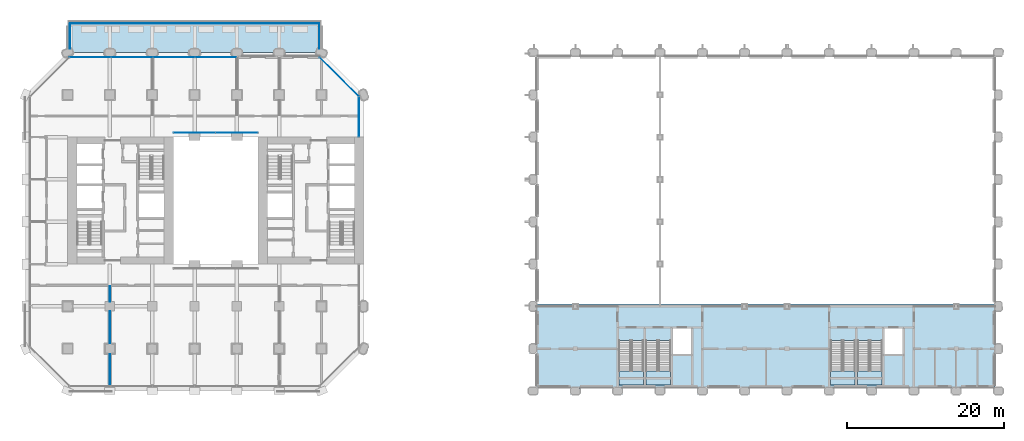
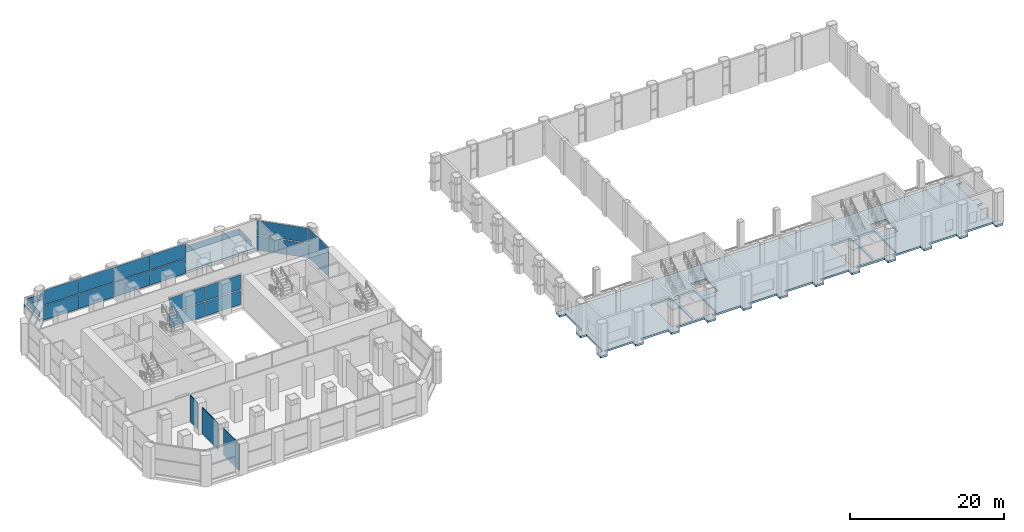
# One storey, part 11 of 27: 19 plates, 6 slabs, 3 walls, 8 elements without a shape of their own.
"""IFC4 building model written with IfcOpenShell, lengths in metres."""

from ifc_helpers import new_model, si_unit, direction, frame, frame_2d, origin, origin_2d, place, context, subcontext, project, spatial, polyline, rectangle, outline, extrude, material, layer, layer_set, type_object, element, aggregate, save


model = new_model("IFC4")

# Units and contexts
model_context = context("Model", 3, precision=1e-05, world=origin(), true_north=direction((0.0, 1.0)))
body_context = subcontext(model_context, "Body", "Model", "MODEL_VIEW")
ifc_project = project(units=[si_unit("LENGTHUNIT", "METRE"), si_unit("AREAUNIT", "SQUARE_METRE"), si_unit("VOLUMEUNIT", "CUBIC_METRE"), si_unit("PLANEANGLEUNIT", "RADIAN"), si_unit("MASSUNIT", "GRAM", prefix="KILO")], contexts=[model_context])

# Site, building, storey
site_placement = place(None, origin())
site = spatial("IfcSite", under=ifc_project, at=site_placement, CompositionType="ELEMENT")
building_placement = place(site_placement, origin())
building = spatial("IfcBuilding", under=site, at=building_placement, Name="Tabaq Tower and Sports Hall", CompositionType="ELEMENT")
storey_placement = place(building_placement, frame((0.0, 0.0, 14.39990234375)))
storey = spatial("IfcBuildingStorey", under=building, at=storey_placement, Name="L02", CompositionType="ELEMENT", Elevation=14.39990234375)

# Curtain wall, plates
ifc_material_1 = material(Name="Aluminium alloy 6063-T6 framed glazing", Category="aluminium")
curtain_wall_type_1 = type_object("IfcCurtainWallType", Name="CW1 curtain wall", PredefinedType="USERDEFINED", material=ifc_material_1)
curtain_wall_1_placement = place(storey_placement, origin())
curtain_wall_1 = element("IfcCurtainWall", 1, at=curtain_wall_1_placement, inside=storey, type_object=curtain_wall_type_1, Name="Atrium glazing L02 N", ObjectType="ATRIUM ENCLOSURE", PredefinedType="USERDEFINED")
ifc_material_2 = material(Name="Clear low-emissivity glass 28 mm", Category="glass")
ifc_layer_1 = layer(ifc_material_2, 0.028076171875)
ifc_layer_set_1 = layer_set([ifc_layer_1], Name="CW1 glass panel 28")
plate_type_1 = type_object("IfcPlateType", Name="CW1 glass panel 28", PredefinedType="CURTAIN_PANEL", material=ifc_layer_set_1)
plate_1_placement = place(storey_placement, frame((21.614990234375, 32.949951171875, 0.14013671875), z_axis=(0.0, 0.0, 1.0), x_axis=(1.0, 0.0, 0.0)))
plate_1 = element("IfcPlate", 2, at=plate_1_placement, type_object=plate_type_1, Name="CW1 panel 1.1", PredefinedType="CURTAIN_PANEL", context=body_context, shape_type="SweptSolid", body=[
    extrude(rectangle(XDim=5.31005859375, YDim=0.028076171875, at=origin_2d()), origin(), (0.0, 0.0, 1.0), 2.2900390625),
])
plate_2_placement = place(storey_placement, frame((21.614990234375, 32.949951171875, 2.570068359375), z_axis=(0.0, 0.0, 1.0), x_axis=(1.0, 0.0, 0.0)))
plate_2 = element("IfcPlate", 3, at=plate_2_placement, type_object=plate_type_1, Name="CW1 panel 1.2", PredefinedType="CURTAIN_PANEL", context=body_context, shape_type="SweptSolid", body=[
    extrude(rectangle(XDim=5.31005859375, YDim=0.028076171875, at=origin_2d()), origin(), (0.0, 0.0, 1.0), 2.2900390625),
])
plate_3_placement = place(storey_placement, frame((26.985107421875, 32.949951171875, 0.14013671875), z_axis=(0.0, 0.0, 1.0), x_axis=(1.0, 0.0, 0.0)))
plate_3 = element("IfcPlate", 4, at=plate_3_placement, type_object=plate_type_1, Name="CW1 panel 2.1", PredefinedType="CURTAIN_PANEL", context=body_context, shape_type="SweptSolid", body=[
    extrude(rectangle(XDim=5.31005859375, YDim=0.028076171875, at=origin_2d()), origin(), (0.0, 0.0, 1.0), 2.2900390625),
])
plate_4_placement = place(storey_placement, frame((26.985107421875, 32.949951171875, 2.570068359375), z_axis=(0.0, 0.0, 1.0), x_axis=(1.0, 0.0, 0.0)))
plate_4 = element("IfcPlate", 5, at=plate_4_placement, type_object=plate_type_1, Name="CW1 panel 2.2", PredefinedType="CURTAIN_PANEL", context=body_context, shape_type="SweptSolid", body=[
    extrude(rectangle(XDim=5.31005859375, YDim=0.028076171875, at=origin_2d()), origin(), (0.0, 0.0, 1.0), 2.2900390625),
])
aggregate(curtain_wall_1, [plate_1, plate_2, plate_3, plate_4])

ifc_material_3 = material(Name="Aluminium alloy 6063-T6 framed glazing", Category="aluminium")
curtain_wall_type_2 = type_object("IfcCurtainWallType", Name="CW7 curtain wall", PredefinedType="USERDEFINED", material=ifc_material_3)
curtain_wall_2_placement = place(storey_placement, origin())
curtain_wall_2 = element("IfcCurtainWall", 6, at=curtain_wall_2_placement, inside=storey, type_object=curtain_wall_type_2, Name="Podium Wall L02 E", ObjectType="PODIUM WALL", PredefinedType="USERDEFINED")
ifc_material_4 = material(Name="Clear low-emissivity glass 28 mm", Category="glass")
ifc_layer_2 = layer(ifc_material_4, 0.030029296875)
ifc_layer_set_2 = layer_set([ifc_layer_2], Name="CW7 glass panel 30")
plate_type_2 = type_object("IfcPlateType", Name="CW7 glass panel 30", PredefinedType="CURTAIN_PANEL", material=ifc_layer_set_2)
plate_5_placement = place(storey_placement, frame((42.60009765625, 35.0068359375, 0.14013671875), z_axis=(0.0, 0.0, 1.0), x_axis=(0.0, 1.0, 0.0)))
plate_5 = element("IfcPlate", 7, at=plate_5_placement, type_object=plate_type_2, Name="CW7 panel 1.1", PredefinedType="CURTAIN_PANEL", context=body_context, shape_type="SweptSolid", body=[
    extrude(rectangle(XDim=5.08349609375, YDim=0.030029296875, at=origin_2d()), origin(), (0.0, 0.0, 1.0), 2.2900390625),
])
plate_6_placement = place(storey_placement, frame((42.60009765625, 35.0068359375, 2.570068359375), z_axis=(0.0, 0.0, 1.0), x_axis=(0.0, 1.0, 0.0)))
plate_6 = element("IfcPlate", 8, at=plate_6_placement, type_object=plate_type_2, Name="CW7 panel 1.2", PredefinedType="CURTAIN_PANEL", context=body_context, shape_type="SweptSolid", body=[
    extrude(rectangle(XDim=5.08349609375, YDim=0.030029296875, at=origin_2d()), origin(), (0.0, 0.0, 1.0), 2.2900390625),
])
aggregate(curtain_wall_2, [plate_5, plate_6])

curtain_wall_3_placement = place(storey_placement, origin())
curtain_wall_3 = element("IfcCurtainWall", 9, at=curtain_wall_3_placement, inside=storey, type_object=curtain_wall_type_2, Name="Podium Wall L02 NE", ObjectType="PODIUM WALL", PredefinedType="USERDEFINED")
plate_7_placement = place(storey_placement, frame((40.07568359375, 40.07568359375, 0.14013671875), z_axis=(0.0, 0.0, 1.0), x_axis=(-0.707106781187, 0.707106781187, 0.0)))
plate_7 = element("IfcPlate", 10, at=plate_7_placement, type_object=plate_type_2, Name="CW7 panel 1.1", PredefinedType="CURTAIN_PANEL", context=body_context, shape_type="SweptSolid", body=[
    extrude(rectangle(XDim=7.009765625, YDim=0.030029296875, at=origin_2d()), origin(), (0.0, 0.0, 1.0), 2.2900390625),
])
plate_8_placement = place(storey_placement, frame((40.07568359375, 40.07568359375, 2.570068359375), z_axis=(0.0, 0.0, 1.0), x_axis=(-0.707106781187, 0.707106781187, 0.0)))
plate_8 = element("IfcPlate", 11, at=plate_8_placement, type_object=plate_type_2, Name="CW7 panel 1.2", PredefinedType="CURTAIN_PANEL", context=body_context, shape_type="SweptSolid", body=[
    extrude(rectangle(XDim=7.009765625, YDim=0.030029296875, at=origin_2d()), origin(), (0.0, 0.0, 1.0), 2.2900390625),
])
aggregate(curtain_wall_3, [plate_7, plate_8])

curtain_wall_4_placement = place(storey_placement, origin())
curtain_wall_4 = element("IfcCurtainWall", 12, at=curtain_wall_4_placement, inside=storey, type_object=curtain_wall_type_2, Name="Podium Wall L02 N", ObjectType="PODIUM WALL", PredefinedType="USERDEFINED")
plate_9_placement = place(storey_placement, frame((24.30712890625, 42.60009765625, 0.14013671875), z_axis=(0.0, 0.0, 1.0), x_axis=(-1.0, 0.0, 0.0)))
plate_9 = element("IfcPlate", 13, at=plate_9_placement, type_object=plate_type_2, Name="CW7 panel 1.1", PredefinedType="CURTAIN_PANEL", context=body_context, shape_type="SweptSolid", body=[
    extrude(rectangle(XDim=5.255859375, YDim=0.030029296875, at=origin_2d()), origin(), (0.0, 0.0, 1.0), 2.2900390625),
])
plate_10_placement = place(storey_placement, frame((24.30712890625, 42.60009765625, 2.570068359375), z_axis=(0.0, 0.0, 1.0), x_axis=(-1.0, 0.0, 0.0)))
plate_10 = element("IfcPlate", 14, at=plate_10_placement, type_object=plate_type_2, Name="CW7 panel 1.2", PredefinedType="CURTAIN_PANEL", context=body_context, shape_type="SweptSolid", body=[
    extrude(rectangle(XDim=5.255859375, YDim=0.030029296875, at=origin_2d()), origin(), (0.0, 0.0, 1.0), 2.2900390625),
])
plate_11_placement = place(storey_placement, frame((18.969970703125, 42.60009765625, 0.14013671875), z_axis=(0.0, 0.0, 1.0), x_axis=(-1.0, 0.0, 0.0)))
plate_11 = element("IfcPlate", 15, at=plate_11_placement, type_object=plate_type_2, Name="CW7 panel 2.1", PredefinedType="CURTAIN_PANEL", context=body_context, shape_type="SweptSolid", body=[
    extrude(rectangle(XDim=5.288330078125, YDim=0.030029296875, at=origin_2d()), origin(), (0.0, 0.0, 1.0), 2.2900390625),
])
plate_12_placement = place(storey_placement, frame((18.969970703125, 42.60009765625, 2.570068359375), z_axis=(0.0, 0.0, 1.0), x_axis=(-1.0, 0.0, 0.0)))
plate_12 = element("IfcPlate", 16, at=plate_12_placement, type_object=plate_type_2, Name="CW7 panel 2.2", PredefinedType="CURTAIN_PANEL", context=body_context, shape_type="SweptSolid", body=[
    extrude(rectangle(XDim=5.288330078125, YDim=0.030029296875, at=origin_2d()), origin(), (0.0, 0.0, 1.0), 2.2900390625),
])
plate_13_placement = place(storey_placement, frame((13.616455078125, 42.60009765625, 0.14013671875), z_axis=(0.0, 0.0, 1.0), x_axis=(-1.0, 0.0, 0.0)))
plate_13 = element("IfcPlate", 17, at=plate_13_placement, type_object=plate_type_2, Name="CW7 panel 3.1", PredefinedType="CURTAIN_PANEL", context=body_context, shape_type="SweptSolid", body=[
    extrude(rectangle(XDim=5.288330078125, YDim=0.030029296875, at=origin_2d()), origin(), (0.0, 0.0, 1.0), 2.2900390625),
])
plate_14_placement = place(storey_placement, frame((13.616455078125, 42.60009765625, 2.570068359375), z_axis=(0.0, 0.0, 1.0), x_axis=(-1.0, 0.0, 0.0)))
plate_14 = element("IfcPlate", 18, at=plate_14_placement, type_object=plate_type_2, Name="CW7 panel 3.2", PredefinedType="CURTAIN_PANEL", context=body_context, shape_type="SweptSolid", body=[
    extrude(rectangle(XDim=5.288330078125, YDim=0.030029296875, at=origin_2d()), origin(), (0.0, 0.0, 1.0), 2.2900390625),
])
plate_15_placement = place(storey_placement, frame((8.279296875, 42.60009765625, 0.14013671875), z_axis=(0.0, 0.0, 1.0), x_axis=(-1.0, 0.0, 0.0)))
plate_15 = element("IfcPlate", 19, at=plate_15_placement, type_object=plate_type_2, Name="CW7 panel 4.1", PredefinedType="CURTAIN_PANEL", context=body_context, shape_type="SweptSolid", body=[
    extrude(rectangle(XDim=5.255859375, YDim=0.030029296875, at=origin_2d()), origin(), (0.0, 0.0, 1.0), 2.2900390625),
])
plate_16_placement = place(storey_placement, frame((8.279296875, 42.60009765625, 2.570068359375), z_axis=(0.0, 0.0, 1.0), x_axis=(-1.0, 0.0, 0.0)))
plate_16 = element("IfcPlate", 20, at=plate_16_placement, type_object=plate_type_2, Name="CW7 panel 4.2", PredefinedType="CURTAIN_PANEL", context=body_context, shape_type="SweptSolid", body=[
    extrude(rectangle(XDim=5.255859375, YDim=0.030029296875, at=origin_2d()), origin(), (0.0, 0.0, 1.0), 2.2900390625),
])
aggregate(curtain_wall_4, [plate_9, plate_10, plate_11, plate_12, plate_13, plate_14, plate_15, plate_16])

# Slabs
ifc_material_5 = material(Name="Concrete C40/50", Category="concrete")
ifc_layer_3 = layer(ifc_material_5, 0.39990234375)
ifc_layer_set_3 = layer_set([ifc_layer_3], Name="Concrete C40/50 PT tray slab")
slab_type_1 = type_object("IfcSlabType", Name="Concrete C40/50 PT tray slab", PredefinedType="FLOOR", material=ifc_layer_set_3)
slab_1_placement = place(storey_placement, frame((0.0, 0.0, -0.39990234375)))
element("IfcSlab", 21, at=slab_1_placement, inside=storey, type_object=slab_type_1, Name="Tray slab L02", PredefinedType="FLOOR", context=body_context, shape_type="SweptSolid", body=[
    extrude(outline(polyline([(37.800048828125, 43.199951171875), (5.39990234375, 43.199951171875), (5.39990234375, 47.199951171875), (37.800048828125, 47.199951171875), (37.800048828125, 43.199951171875)])), origin(), (0.0, 0.0, 1.0), 0.39990234375),
])
ifc_material_6 = material(Name="Concrete C40/50", Category="concrete")
ifc_layer_4 = layer(ifc_material_6, 0.300048828125)
ifc_layer_set_4 = layer_set([ifc_layer_4], Name="HALL FLOOR SLAB PT 300 C40/50")
slab_type_2 = type_object("IfcSlabType", Name="HALL FLOOR SLAB PT 300 C40/50", PredefinedType="FLOOR", material=ifc_layer_set_4)
slab_2_placement = place(storey_placement, frame((0.0, 0.0, -0.2998046875)))
element("IfcSlab", 22, at=slab_2_placement, inside=storey, type_object=slab_type_2, Name="L02 floor slab", PredefinedType="FLOOR", context=body_context, shape_type="SweptSolid", body=[
    extrude(outline(polyline([(76.199951171875, 0.449951171875), (76.199951171875, -0.449951171875), (75.0, -0.449951171875), (75.0, 0.449951171875), (70.800048828125, 0.449951171875), (70.800048828125, -0.449951171875), (69.60009765625, -0.449951171875), (69.60009765625, 0.449951171875), (65.39990234375, 0.449951171875), (65.39990234375, -0.449951171875), (64.35009765625, -0.449951171875), (64.35009765625, 0.449951171875), (65.25, 0.449951171875), (65.25, 4.800048828125), (64.35009765625, 4.800048828125), (64.35009765625, 6.0), (65.25, 6.0), (65.25, 10.199951171875), (64.35009765625, 10.199951171875), (64.35009765625, 11.10009765625), (124.64990234375, 11.10009765625), (124.64990234375, 10.199951171875), (123.75, 10.199951171875), (123.75, 6.0), (124.64990234375, 6.0), (124.64990234375, 4.800048828125), (123.75, 4.800048828125), (123.75, 0.449951171875), (124.64990234375, 0.449951171875), (124.64990234375, -0.449951171875), (123.60009765625, -0.449951171875), (123.60009765625, 0.449951171875), (119.39990234375, 0.449951171875), (119.39990234375, -0.449951171875), (118.199951171875, -0.449951171875), (118.199951171875, 0.449951171875), (114.0, 0.449951171875), (114.0, -0.449951171875), (112.800048828125, -0.449951171875), (112.800048828125, 0.449951171875), (108.60009765625, 0.449951171875), (108.60009765625, -0.449951171875), (107.39990234375, -0.449951171875), (107.39990234375, 0.449951171875), (103.199951171875, 0.449951171875), (103.199951171875, -0.449951171875), (102.0, -0.449951171875), (102.0, 0.449951171875), (97.800048828125, 0.449951171875), (97.800048828125, -0.449951171875), (96.60009765625, -0.449951171875), (96.60009765625, 0.449951171875), (92.39990234375, 0.449951171875), (92.39990234375, -0.449951171875), (91.199951171875, -0.449951171875), (91.199951171875, 0.449951171875), (87.0, 0.449951171875), (87.0, -0.449951171875), (85.800048828125, -0.449951171875), (85.800048828125, 0.449951171875), (81.60009765625, 0.449951171875), (81.60009765625, -0.449951171875), (80.39990234375, -0.449951171875), (80.39990234375, 0.449951171875), (76.199951171875, 0.449951171875)]), holes=[polyline([(82.64990234375, 4.75), (84.949951171875, 4.75), (84.949951171875, 7.949951171875), (82.64990234375, 7.949951171875), (82.64990234375, 4.75)]), polyline([(109.64990234375, 4.75), (111.949951171875, 4.75), (111.949951171875, 7.949951171875), (109.64990234375, 7.949951171875), (109.64990234375, 4.75)]), polyline([(75.75, 6.449462890625), (75.75, 0.75), (78.89990234375, 0.75), (78.89990234375, 6.449462890625), (75.75, 6.449462890625)]), polyline([(79.199951171875, 6.449462890625), (79.199951171875, 0.75), (82.35009765625, 0.75), (82.35009765625, 6.449462890625), (79.199951171875, 6.449462890625)]), polyline([(102.75, 6.449462890625), (102.75, 0.75), (105.89990234375, 0.75), (105.89990234375, 6.449462890625), (102.75, 6.449462890625)]), polyline([(106.199951171875, 6.449462890625), (106.199951171875, 0.75), (109.35009765625, 0.75), (109.35009765625, 6.449462890625), (106.199951171875, 6.449462890625)])]), origin(), (0.0, 0.0, 1.0), 0.2998046875),
])

# Stair, slab
ifc_material_7 = material(Name="Concrete C40/50", Category="concrete")
stair_type = type_object("IfcStairType", Name="HALL STAIR HALF-TURN", PredefinedType="HALF_TURN_STAIR", material=ifc_material_7)
stair_1_placement = place(storey_placement, origin())
stair_1 = element("IfcStair", 23, at=stair_1_placement, inside=storey, type_object=stair_type, Name="L02 Stair H1", PredefinedType="HALF_TURN_STAIR")
ifc_material_8 = material(Name="Concrete C40/50", Category="concrete")
ifc_layer_5 = layer(ifc_material_8, 0.199951171875)
ifc_layer_set_5 = layer_set([ifc_layer_5], Name="HALL STAIR LANDING 200")
slab_type_3 = type_object("IfcSlabType", Name="HALL STAIR LANDING 200", PredefinedType="LANDING", material=ifc_layer_set_5)
slab_3_placement = place(storey_placement, frame((0.0, 0.0, 2.5)))
slab_3 = element("IfcSlab", 24, at=slab_3_placement, type_object=slab_type_3, Name="ST-H1 landing 1", PredefinedType="LANDING", context=body_context, shape_type="SweptSolid", body=[
    extrude(outline(polyline([(75.75, 2.530029296875), (75.75, 0.75), (78.89990234375, 0.75), (78.89990234375, 2.530029296875), (75.75, 2.530029296875)])), origin(), (0.0, 0.0, 1.0), 0.2001953125),
])
aggregate(stair_1, [slab_3])

stair_2_placement = place(storey_placement, origin())
stair_2 = element("IfcStair", 25, at=stair_2_placement, inside=storey, type_object=stair_type, Name="L02 Stair H2", PredefinedType="HALF_TURN_STAIR")
slab_4_placement = place(storey_placement, frame((0.0, 0.0, 2.5)))
slab_4 = element("IfcSlab", 26, at=slab_4_placement, type_object=slab_type_3, Name="ST-H2 landing 1", PredefinedType="LANDING", context=body_context, shape_type="SweptSolid", body=[
    extrude(outline(polyline([(79.199951171875, 2.530029296875), (79.199951171875, 0.75), (82.35009765625, 0.75), (82.35009765625, 2.530029296875), (79.199951171875, 2.530029296875)])), origin(), (0.0, 0.0, 1.0), 0.2001953125),
])
aggregate(stair_2, [slab_4])

stair_3_placement = place(storey_placement, origin())
stair_3 = element("IfcStair", 27, at=stair_3_placement, inside=storey, type_object=stair_type, Name="L02 Stair H3", PredefinedType="HALF_TURN_STAIR")
slab_5_placement = place(storey_placement, frame((0.0, 0.0, 2.5)))
slab_5 = element("IfcSlab", 28, at=slab_5_placement, type_object=slab_type_3, Name="ST-H3 landing 1", PredefinedType="LANDING", context=body_context, shape_type="SweptSolid", body=[
    extrude(outline(polyline([(102.75, 2.530029296875), (102.75, 0.75), (105.89990234375, 0.75), (105.89990234375, 2.530029296875), (102.75, 2.530029296875)])), origin(), (0.0, 0.0, 1.0), 0.2001953125),
])
aggregate(stair_3, [slab_5])

stair_4_placement = place(storey_placement, origin())
stair_4 = element("IfcStair", 29, at=stair_4_placement, inside=storey, type_object=stair_type, Name="L02 Stair H4", PredefinedType="HALF_TURN_STAIR")
slab_6_placement = place(storey_placement, frame((0.0, 0.0, 2.5)))
slab_6 = element("IfcSlab", 30, at=slab_6_placement, type_object=slab_type_3, Name="ST-H4 landing 1", PredefinedType="LANDING", context=body_context, shape_type="SweptSolid", body=[
    extrude(outline(polyline([(106.199951171875, 2.530029296875), (106.199951171875, 0.75), (109.35009765625, 0.75), (109.35009765625, 2.530029296875), (106.199951171875, 2.530029296875)])), origin(), (0.0, 0.0, 1.0), 0.2001953125),
])
aggregate(stair_4, [slab_6])

# Plates
ifc_material_9 = material(Name="Clear low-emissivity glass 28 mm", Category="glass")
ifc_layer_6 = layer(ifc_material_9, 0.02001953125)
ifc_layer_set_6 = layer_set([ifc_layer_6], Name="Laminated glass tray guard panel 20")
plate_type_3 = type_object("IfcPlateType", Name="Laminated glass tray guard panel 20", PredefinedType="USERDEFINED", material=ifc_layer_set_6)
plate_17_placement = place(storey_placement, frame((37.5, 43.699951171875, 0.0), z_axis=(0.0, 0.0, 1.0), x_axis=(0.0, 1.0, 0.0)))
element("IfcPlate", 31, at=plate_17_placement, inside=storey, type_object=plate_type_3, Name="Tray guard glass L02", ObjectType="GUARD GLASS", PredefinedType="USERDEFINED", context=body_context, shape_type="SweptSolid", body=[
    extrude(rectangle(XDim=3.199951171875, YDim=0.02001953125, at=frame_2d((1.60009765625, 0.0))), origin(), (0.0, 0.0, 1.0), 0.9501953125),
])
plate_18_placement = place(storey_placement, frame((37.5, 46.89990234375, 0.0), z_axis=(0.0, 0.0, 1.0), x_axis=(-1.0, 0.0, 0.0)))
element("IfcPlate", 32, at=plate_18_placement, inside=storey, type_object=plate_type_3, Name="Tray guard glass L02", ObjectType="GUARD GLASS", PredefinedType="USERDEFINED", context=body_context, shape_type="SweptSolid", body=[
    extrude(rectangle(XDim=31.800048828125, YDim=0.02001953125, at=frame_2d((15.89990234375, 0.0))), origin(), (0.0, 0.0, 1.0), 0.9501953125),
])
plate_19_placement = place(storey_placement, frame((5.699951171875, 46.89990234375, 0.0), z_axis=(0.0, 0.0, 1.0), x_axis=(0.0, -1.0, 0.0)))
element("IfcPlate", 33, at=plate_19_placement, inside=storey, type_object=plate_type_3, Name="Tray guard glass L02", ObjectType="GUARD GLASS", PredefinedType="USERDEFINED", context=body_context, shape_type="SweptSolid", body=[
    extrude(rectangle(XDim=3.199951171875, YDim=0.02001953125, at=frame_2d((1.60009765625, 0.0))), origin(), (0.0, 0.0, 1.0), 0.9501953125),
])

# Walls
ifc_material_10 = material(Name="Gypsum board on steel studs", Category="steel")
ifc_layer_7 = layer(ifc_material_10, 0.10009765625)
ifc_layer_set_7 = layer_set([ifc_layer_7], Name="Partition 100 Gypsum board")
wall_type = type_object("IfcWallType", Name="Partition 100 Gypsum board", PredefinedType="PARTITIONING", material=ifc_layer_set_7)
wall_1_placement = place(storey_placement, frame((10.800048828125, 0.60009765625, 0.0), z_axis=(0.0, 0.0, 1.0), x_axis=(0.0, 1.0, 0.0)))
element("IfcWall", 34, at=wall_1_placement, inside=storey, type_object=wall_type, Name="Partition wall L02", PredefinedType="PARTITIONING", context=body_context, shape_type="SweptSolid", body=[
    extrude(rectangle(XDim=4.09912109375, YDim=0.10009765625, at=frame_2d((2.049560546875, 0.0))), origin(), (0.0, 0.0, 1.0), 4.25),
])
wall_2_placement = place(storey_placement, frame((10.800048828125, 6.1005859375, 0.0), z_axis=(0.0, 0.0, 1.0), x_axis=(0.0, 1.0, 0.0)))
element("IfcWall", 35, at=wall_2_placement, inside=storey, type_object=wall_type, Name="Partition wall L02", PredefinedType="PARTITIONING", context=body_context, shape_type="SweptSolid", body=[
    extrude(rectangle(XDim=4.079345703125, YDim=0.10009765625, at=frame_2d((2.03955078125, 0.0))), origin(), (0.0, 0.0, 1.0), 4.25),
])
wall_3_placement = place(storey_placement, frame((10.800048828125, 11.419921875, 0.0), z_axis=(0.0, 0.0, 1.0), x_axis=(0.0, 1.0, 0.0)))
element("IfcWall", 36, at=wall_3_placement, inside=storey, type_object=wall_type, Name="Partition wall L02", PredefinedType="PARTITIONING", context=body_context, shape_type="SweptSolid", body=[
    extrude(rectangle(XDim=1.97998046875, YDim=0.10009765625, at=frame_2d((0.989990234375, 0.0))), origin(), (0.0, 0.0, 1.0), 4.25),
])

save(model, "model.ifc")
